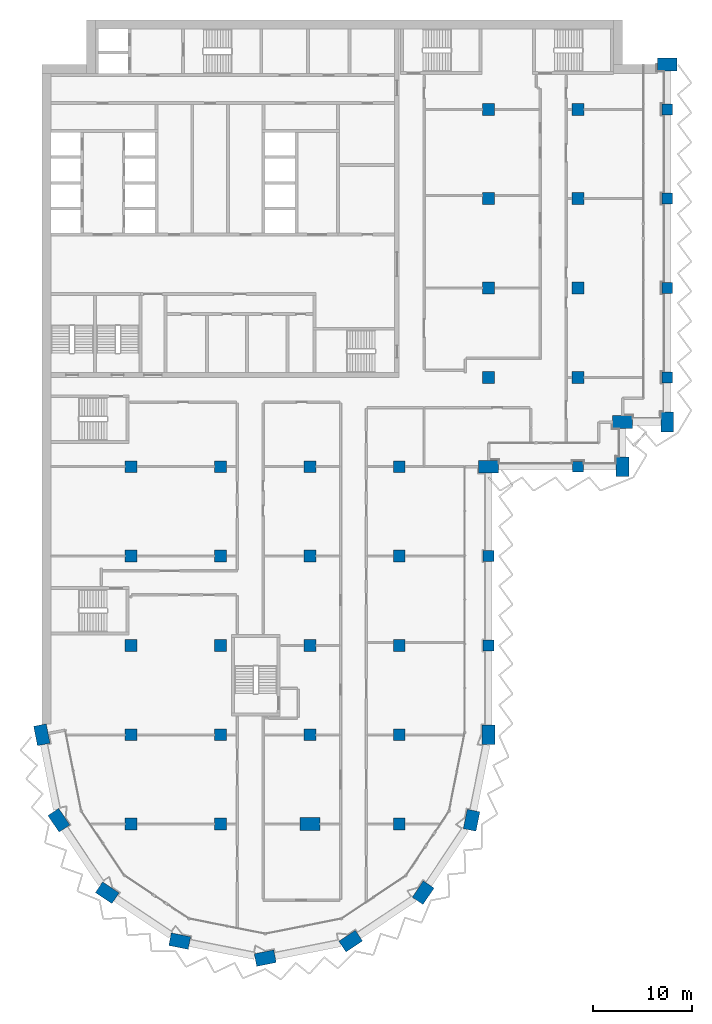
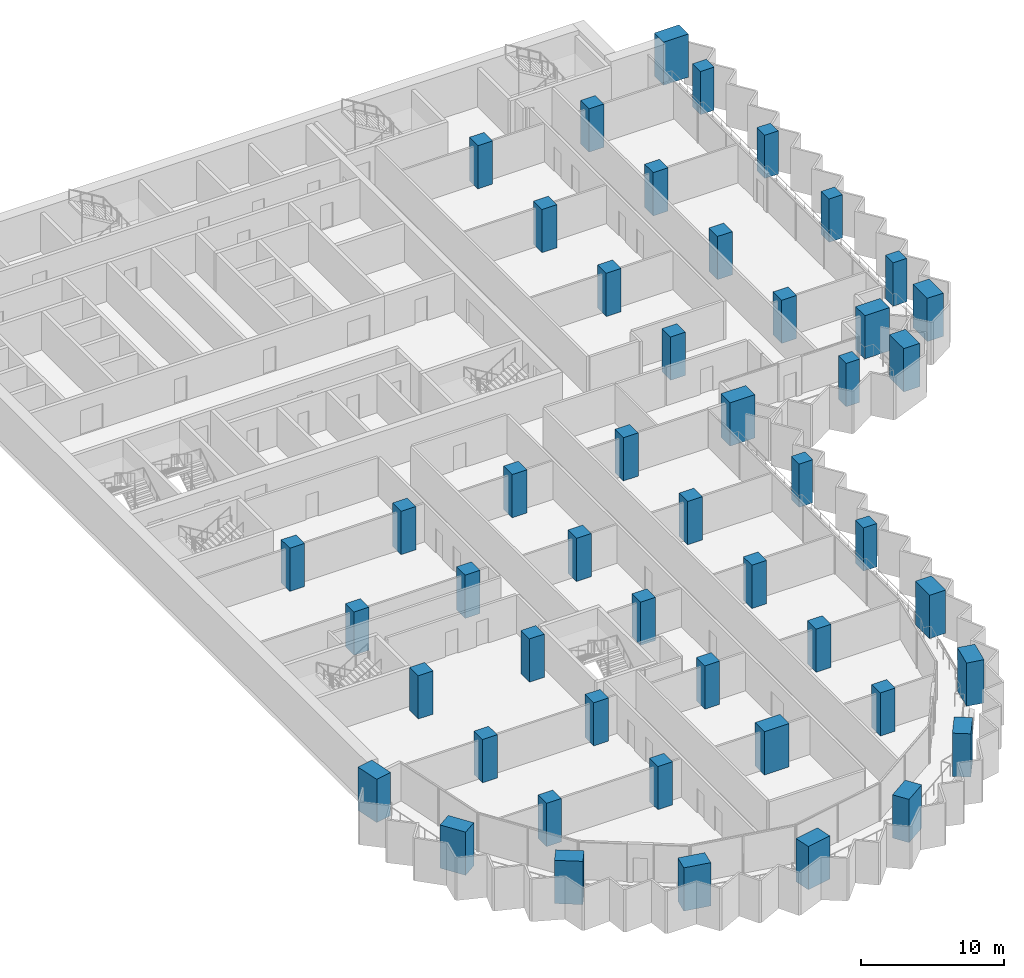
# One storey, part 1 of 23: 49 columns.
"""IFC4 building model written with IfcOpenShell, lengths in metres."""

from ifc_helpers import new_model, si_unit, direction, frame, origin, origin_2d, place, context, subcontext, project, spatial, rectangle, extrude, material, material_profile, profile_set, type_object, element, save


model = new_model("IFC4")

# Units and contexts
model_context = context("Model", 3, precision=1e-05, world=origin(), true_north=direction((0.0, 1.0)))
body_context = subcontext(model_context, "Body", "Model", "MODEL_VIEW")
ifc_project = project(units=[si_unit("LENGTHUNIT", "METRE"), si_unit("AREAUNIT", "SQUARE_METRE"), si_unit("VOLUMEUNIT", "CUBIC_METRE"), si_unit("PLANEANGLEUNIT", "RADIAN"), si_unit("MASSUNIT", "GRAM", prefix="KILO")], contexts=[model_context])

# Site, building, storey
site_placement = place(None, origin())
site = spatial("IfcSite", under=ifc_project, at=site_placement, CompositionType="ELEMENT")
building_placement = place(site_placement, origin())
building = spatial("IfcBuilding", under=site, at=building_placement, Name="Hunhe Ridgeline Campus", CompositionType="ELEMENT")
storey_placement = place(building_placement, frame((0.0, 0.0, 152.300048828125)))
storey = spatial("IfcBuildingStorey", under=building, at=storey_placement, Name="L38", CompositionType="ELEMENT", Elevation=152.300048828125)

# Columns
ifc_material = material(Name="Concrete C70", Category="concrete")
ifc_material_profile_1 = material_profile(ifc_material, rectangle(XDim=2.0, YDim=1.300048828125, at=origin_2d()))
ifc_profile_set_1 = profile_set([ifc_material_profile_1], Name="Concrete C70")
column_type_1 = type_object("IfcColumnType", Name="Megacolumn 2000x1300 Concrete C70", PredefinedType="COLUMN", material=ifc_profile_set_1)
for number, where, z_axis, x_axis, name in (
    (1, (22.5, 4.5, 0.0), (0.0, 0.0, 1.0), (0.980785280403, 0.195090322016, 0.0), "Column C9 R1 L38"),
    (2, (13.8896484375, 6.212646484375, 0.0), (0.0, 0.0, 1.0), (-0.980785280403, 0.195090322016, 0.0), "Column C9 R2 L38"),
    (3, (31.1103515625, 6.212646484375, 0.0), (0.0, 0.0, 1.0), (0.831469612303, 0.55557023302, 0.0), "Column C9 R3 L38"),
    (4, (6.590087890625, 11.090087890625, 0.0), (0.0, 0.0, 1.0), (-0.831469612303, 0.55557023302, 0.0), "Column C9 R4 L38"),
    (5, (38.409912109375, 11.090087890625, 0.0), (0.0, 0.0, 1.0), (0.55557023302, 0.831469612303, 0.0), "Column C9 R5 L38"),
    (6, (1.712646484375, 18.3896484375, 0.0), (0.0, 0.0, 1.0), (-0.55557023302, 0.831469612303, 0.0), "Column C9 R9 L38"),
    (7, (43.287353515625, 18.3896484375, 0.0), (0.0, 0.0, 1.0), (0.195090322016, 0.980785280403, 0.0), "Column C9 R10 L38"),
    (8, (0.0, 27.0, 0.0), (0.0, 0.0, 1.0), (-0.195090322016, 0.980785280403, 0.0), "Column C9 D1 L38"),
    (9, (45.0, 27.0, 0.0), (0.0, 0.0, 1.0), (0.0, 1.0, 0.0), "Column C9 D6 L38"),
    (10, (45.0, 54.0, 0.0), (0.0, 0.0, 1.0), (1.0, 0.0, 0.0), "Column C9 G6 L38"),
    (11, (58.5, 54.0, 0.0), (0.0, 0.0, 1.0), (0.0, 1.0, 0.0), "Column C9 R30 L38"),
    (12, (58.5, 58.5, 0.0), (0.0, 0.0, 1.0), (1.0, 0.0, 0.0), "Column C9 R35 L38"),
    (13, (63.0, 58.5, 0.0), (0.0, 0.0, 1.0), (0.0, 1.0, 0.0), "Column C9 R36 L38"),
    (14, (63.0, 94.5, 0.0), (0.0, 0.0, 1.0), (1.0, 0.0, 0.0), "Column C9 R42 L38"),
    (15, (27.0, 18.0, 0.0), (0.0, 0.0, 1.0), (1.0, 0.0, 0.0), "Column C9 C4 L38"),
):
    element("IfcColumn", number, at=place(storey_placement, frame(where, z_axis=z_axis, x_axis=x_axis)), inside=storey, type_object=column_type_1, Name=name, PredefinedType="COLUMN", context=body_context, shape_type="SweptSolid", body=[
        extrude(rectangle(XDim=2.0, YDim=1.300048828125, at=origin_2d()), origin(), (0.0, 0.0, 1.0), 3.699951171875),
    ])
ifc_material_profile_2 = material_profile(ifc_material, rectangle(XDim=1.10009765625, YDim=1.10009765625, at=origin_2d()))
ifc_profile_set_2 = profile_set([ifc_material_profile_2], Name="Concrete C70")
column_type_2 = type_object("IfcColumnType", Name="RC column 1100x1100 Concrete C70", PredefinedType="COLUMN", material=ifc_profile_set_2)
for number, where, z_axis, x_axis, name in (
    (16, (45.0, 36.0, 0.0), (0.0, 0.0, 1.0), (1.0, 0.0, 0.0), "Column C10 E6 L38"),
    (17, (45.0, 45.0, 0.0), (0.0, 0.0, 1.0), (1.0, 0.0, 0.0), "Column C10 F6 L38"),
    (18, (54.0, 54.0, 0.0), (0.0, 0.0, 1.0), (1.0, 0.0, 0.0), "Column C10 G7 L38"),
    (19, (63.0, 63.0, 0.0), (0.0, 0.0, 1.0), (1.0, 0.0, 0.0), "Column C10 H8 L38"),
    (20, (63.0, 72.0, 0.0), (0.0, 0.0, 1.0), (1.0, 0.0, 0.0), "Column C10 I8 L38"),
    (21, (63.0, 81.0, 0.0), (0.0, 0.0, 1.0), (1.0, 0.0, 0.0), "Column C10 J8 L38"),
    (22, (63.0, 90.0, 0.0), (0.0, 0.0, 1.0), (1.0, 0.0, 0.0), "Column C10 K8 L38"),
):
    element("IfcColumn", number, at=place(storey_placement, frame(where, z_axis=z_axis, x_axis=x_axis)), inside=storey, type_object=column_type_2, Name=name, PredefinedType="COLUMN", context=body_context, shape_type="SweptSolid", body=[
        extrude(rectangle(XDim=1.10009765625, YDim=1.10009765625, at=origin_2d()), origin(), (0.0, 0.0, 1.0), 3.699951171875),
    ])
ifc_material_profile_3 = material_profile(ifc_material, rectangle(XDim=1.199951171875, YDim=1.199951171875, at=origin_2d()))
ifc_profile_set_3 = profile_set([ifc_material_profile_3], Name="Concrete C70")
column_type_3 = type_object("IfcColumnType", Name="RC column 1200x1200 Concrete C70", PredefinedType="COLUMN", material=ifc_profile_set_3)
for number, where, z_axis, x_axis, name in (
    (23, (9.0, 18.0, 0.0), (0.0, 0.0, 1.0), (1.0, 0.0, 0.0), "Column C7 C2 L38"),
    (24, (9.0, 27.0, 0.0), (0.0, 0.0, 1.0), (1.0, 0.0, 0.0), "Column C7 D2 L38"),
    (25, (9.0, 36.0, 0.0), (0.0, 0.0, 1.0), (1.0, 0.0, 0.0), "Column C7 E2 L38"),
    (26, (9.0, 45.0, 0.0), (0.0, 0.0, 1.0), (1.0, 0.0, 0.0), "Column C7 F2 L38"),
    (27, (9.0, 54.0, 0.0), (0.0, 0.0, 1.0), (1.0, 0.0, 0.0), "Column C7 G2 L38"),
    (28, (18.0, 18.0, 0.0), (0.0, 0.0, 1.0), (1.0, 0.0, 0.0), "Column C7 C3 L38"),
    (29, (18.0, 27.0, 0.0), (0.0, 0.0, 1.0), (1.0, 0.0, 0.0), "Column C7 D3 L38"),
    (30, (18.0, 36.0, 0.0), (0.0, 0.0, 1.0), (1.0, 0.0, 0.0), "Column C7 E3 L38"),
    (31, (18.0, 45.0, 0.0), (0.0, 0.0, 1.0), (1.0, 0.0, 0.0), "Column C7 F3 L38"),
    (32, (18.0, 54.0, 0.0), (0.0, 0.0, 1.0), (1.0, 0.0, 0.0), "Column C7 G3 L38"),
    (33, (27.0, 27.0, 0.0), (0.0, 0.0, 1.0), (1.0, 0.0, 0.0), "Column C7 D4 L38"),
    (34, (27.0, 36.0, 0.0), (0.0, 0.0, 1.0), (1.0, 0.0, 0.0), "Column C7 E4 L38"),
    (35, (27.0, 45.0, 0.0), (0.0, 0.0, 1.0), (1.0, 0.0, 0.0), "Column C7 F4 L38"),
    (36, (27.0, 54.0, 0.0), (0.0, 0.0, 1.0), (1.0, 0.0, 0.0), "Column C7 G4 L38"),
    (37, (36.0, 18.0, 0.0), (0.0, 0.0, 1.0), (1.0, 0.0, 0.0), "Column C7 C5 L38"),
    (38, (36.0, 27.0, 0.0), (0.0, 0.0, 1.0), (1.0, 0.0, 0.0), "Column C7 D5 L38"),
    (39, (36.0, 36.0, 0.0), (0.0, 0.0, 1.0), (1.0, 0.0, 0.0), "Column C7 E5 L38"),
    (40, (36.0, 45.0, 0.0), (0.0, 0.0, 1.0), (1.0, 0.0, 0.0), "Column C7 F5 L38"),
    (41, (36.0, 54.0, 0.0), (0.0, 0.0, 1.0), (1.0, 0.0, 0.0), "Column C7 G5 L38"),
    (42, (45.0, 63.0, 0.0), (0.0, 0.0, 1.0), (1.0, 0.0, 0.0), "Column C7 H6 L38"),
    (43, (45.0, 72.0, 0.0), (0.0, 0.0, 1.0), (1.0, 0.0, 0.0), "Column C7 I6 L38"),
    (44, (45.0, 81.0, 0.0), (0.0, 0.0, 1.0), (1.0, 0.0, 0.0), "Column C7 J6 L38"),
    (45, (45.0, 90.0, 0.0), (0.0, 0.0, 1.0), (1.0, 0.0, 0.0), "Column C7 K6 L38"),
    (46, (54.0, 63.0, 0.0), (0.0, 0.0, 1.0), (1.0, 0.0, 0.0), "Column C7 H7 L38"),
    (47, (54.0, 72.0, 0.0), (0.0, 0.0, 1.0), (1.0, 0.0, 0.0), "Column C7 I7 L38"),
    (48, (54.0, 81.0, 0.0), (0.0, 0.0, 1.0), (1.0, 0.0, 0.0), "Column C7 J7 L38"),
    (49, (54.0, 90.0, 0.0), (0.0, 0.0, 1.0), (1.0, 0.0, 0.0), "Column C7 K7 L38"),
):
    element("IfcColumn", number, at=place(storey_placement, frame(where, z_axis=z_axis, x_axis=x_axis)), inside=storey, type_object=column_type_3, Name=name, PredefinedType="COLUMN", context=body_context, shape_type="SweptSolid", body=[
        extrude(rectangle(XDim=1.199951171875, YDim=1.199951171875, at=origin_2d()), origin(), (0.0, 0.0, 1.0), 3.699951171875),
    ])

save(model, "model.ifc")
